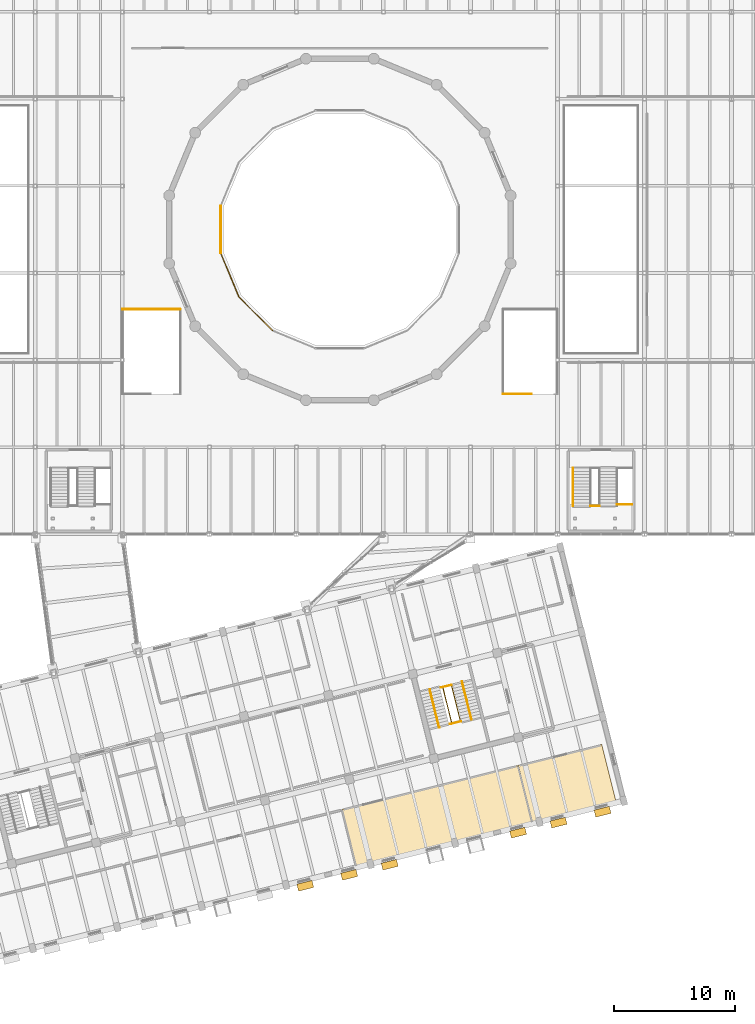
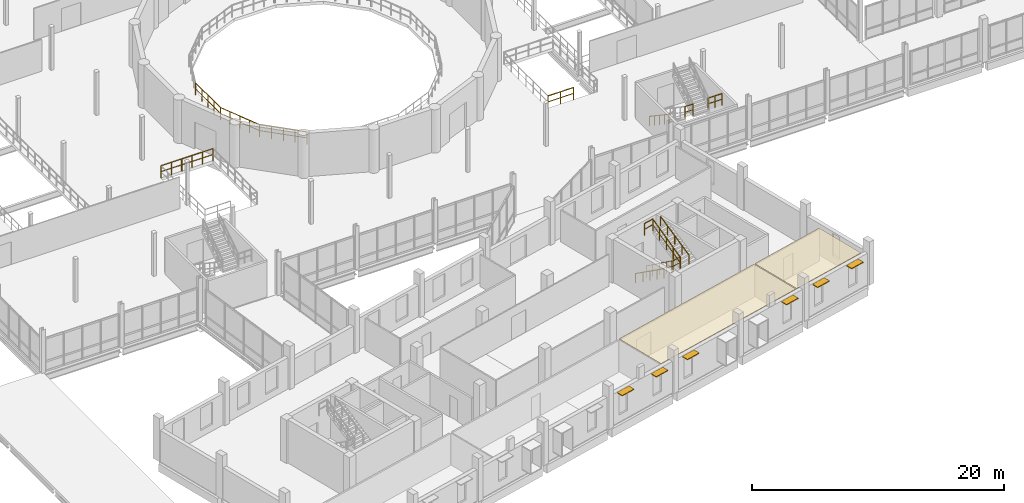
# One storey, part 68 of 72: 14 railings, 6 shading devices, 2 coverings.
"""IFC4 building model written with IfcOpenShell, lengths in metres."""

import ifcopenshell
import ifcopenshell.guid

model = None  # the IFC model being written
_history = None  # IfcOwnerHistory: only IFC2X3 demands one
_inside = {}  # id of a spatial element -> (the spatial element, [elements in it])
_under = {}  # id of a project, library or spatial element -> (it, [spatial elements below it])
_declared = {}  # id of a project -> (the project, [libraries it declares])
_typed = {}  # id of a type object -> (the type object, [elements of that type])
_made_of = {}  # id of a material, layer set ... -> (it, [elements and type objects made of it])


def new_model(schema):
    """Start an empty IFC model of exactly this schema.

    Asked for "IFC4X3", IfcOpenShell would pick the latest addendum, in which some entities
    have other attributes; the version numbers below select the first issue.
    IFC2X3 requires an IfcOwnerHistory on every rooted entity: one is made here for all.
    """
    global model, _history
    if schema == "IFC4X3":
        model = ifcopenshell.file(schema_version=(4, 3, 0, 0))
    else:
        model = ifcopenshell.file(schema=schema)
    _inside.clear()
    _under.clear()
    _declared.clear()
    _typed.clear()
    _made_of.clear()
    _history = None
    if model.schema == "IFC2X3":
        org = make("IfcOrganization", Name="unknown")
        user = make(
            "IfcPersonAndOrganization",
            ThePerson=make("IfcPerson", FamilyName="unknown"),
            TheOrganization=org,
        )
        app = make(
            "IfcApplication",
            ApplicationDeveloper=org,
            Version="unknown",
            ApplicationFullName="unknown",
            ApplicationIdentifier="unknown",
        )
        _history = make(
            "IfcOwnerHistory",
            OwningUser=user,
            OwningApplication=app,
            ChangeAction="ADDED",
            CreationDate=0,
        )
    return model


def make(cls, **values):
    """One entity of the class cls with the attributes given. An attribute that is None is left unset."""
    return model.create_entity(
        cls, **{name: value for name, value in values.items() if value is not None}
    )


def rooted(cls, **values):
    """An entity with a GlobalId (a new one), such as an element, a storey or a relation."""
    return make(cls, GlobalId=ifcopenshell.guid.new(), OwnerHistory=_history, **values)


def si_unit(unit_type, name, prefix=None):
    """IfcSIUnit, for example si_unit("LENGTHUNIT", "METRE", prefix="MILLI")."""
    return make("IfcSIUnit", UnitType=unit_type, Prefix=prefix, Name=name)


def assignment(units):
    """IfcUnitAssignment: the units of a project."""
    return None if units is None else make("IfcUnitAssignment", Units=units)


def point(xyz):
    """IfcCartesianPoint."""
    return None if xyz is None else make("IfcCartesianPoint", Coordinates=xyz)


def direction(xyz):
    """IfcDirection."""
    return None if xyz is None else make("IfcDirection", DirectionRatios=xyz)


def frame(location, z_axis=None, x_axis=None):
    """IfcAxis2Placement3D, a coordinate frame: its origin and axes. An axis left out is left unset."""
    return make(
        "IfcAxis2Placement3D",
        Location=point(location),
        Axis=direction(z_axis),
        RefDirection=direction(x_axis),
    )


def frame_2d(location, x_axis=None):
    """IfcAxis2Placement2D, a coordinate frame in the plane: its origin and x axis."""
    return make(
        "IfcAxis2Placement2D", Location=point(location), RefDirection=direction(x_axis)
    )


def origin():
    """The frame at (0, 0, 0) with its axes left unset."""
    return frame((0.0, 0.0, 0.0))


def origin_2d():
    """The frame at (0, 0) in the plane with its x axis left unset."""
    return frame_2d((0.0, 0.0))


def place(relative_to, where):
    """IfcLocalPlacement: puts the frame where relative to a parent placement (None: the world)."""
    return make(
        "IfcLocalPlacement", PlacementRelTo=relative_to, RelativePlacement=where
    )


def context(
    kind, dimensions, precision=None, world=None, true_north=None, identifier=None
):
    """IfcGeometricRepresentationContext, for example the 3D "Model" context."""
    return make(
        "IfcGeometricRepresentationContext",
        ContextIdentifier=identifier,
        ContextType=kind,
        CoordinateSpaceDimension=dimensions,
        Precision=precision,
        WorldCoordinateSystem=world,
        TrueNorth=true_north,
    )


def subcontext(parent, identifier, kind, view, scale=None):
    """IfcGeometricRepresentationSubContext, for example "Body" below "Model"."""
    return make(
        "IfcGeometricRepresentationSubContext",
        ContextIdentifier=identifier,
        ContextType=kind,
        ParentContext=parent,
        TargetScale=scale,
        TargetView=view,
    )


def project(units=None, contexts=None):
    """IfcProject with its units and contexts."""
    return rooted(
        "IfcProject",
        Name="project",
        RepresentationContexts=contexts,
        UnitsInContext=assignment(units),
    )


def spatial(cls, under=None, at=None, **own):
    """A site, building, storey or space (cls), placed at a placement, below another one or the project."""
    s = rooted(cls, ObjectPlacement=at, **own)
    if under is not None:
        _under.setdefault(under.id(), (under, []))[1].append(s)
    return s


def polyline(points):
    """IfcPolyline through the points."""
    return make("IfcPolyline", Points=[point(p) for p in points])


def profile(cls, at=None, kind="AREA", **sizes):
    """A parametric profile (cls). Its sizes go by their IFC names, for example OverallWidth=200.0."""
    return make(cls, ProfileType=kind, Position=at, **sizes)


def rectangle(**sizes):
    """IfcRectangleProfileDef."""
    return profile("IfcRectangleProfileDef", **sizes)


def circle(**sizes):
    """IfcCircleProfileDef."""
    return profile("IfcCircleProfileDef", **sizes)


def outline(outer, holes=None, kind="AREA"):
    """IfcArbitraryClosedProfileDef: a profile drawn as a closed curve; with holes, ...WithVoids."""
    if holes is None:
        return make("IfcArbitraryClosedProfileDef", ProfileType=kind, OuterCurve=outer)
    return make(
        "IfcArbitraryProfileDefWithVoids",
        ProfileType=kind,
        OuterCurve=outer,
        InnerCurves=holes,
    )


def extrude(swept, where, along, depth):
    """IfcExtrudedAreaSolid: the profile swept, set in the frame where, extruded along a direction by depth."""
    return make(
        "IfcExtrudedAreaSolid",
        SweptArea=swept,
        Position=where,
        ExtrudedDirection=direction(along),
        Depth=depth,
    )


def shape(context_of_items, identifier, shape_type, items):
    """IfcShapeRepresentation: the items that make up one representation, for example the "Body"."""
    return make(
        "IfcShapeRepresentation",
        ContextOfItems=context_of_items,
        RepresentationIdentifier=identifier,
        RepresentationType=shape_type,
        Items=items,
    )


def material(Name=None, Category=None):
    """IfcMaterial."""
    return make("IfcMaterial", Name=Name, Category=Category)


def layer(
    of_material, thickness, ventilated=None, Name=None, Category=None, Priority=None
):
    """IfcMaterialLayer: one layer of a wall or slab, of a material (None: an air gap)."""
    return make(
        "IfcMaterialLayer",
        Material=of_material,
        LayerThickness=thickness,
        IsVentilated=ventilated,
        Name=Name,
        Category=Category,
        Priority=Priority,
    )


def layer_set(layers, Name=None):
    """IfcMaterialLayerSet."""
    return make("IfcMaterialLayerSet", MaterialLayers=layers, LayerSetName=Name)


def material_profile(
    of_material, cross_section, Name=None, Category=None, Priority=None
):
    """IfcMaterialProfile: a cross section and its material."""
    return make(
        "IfcMaterialProfile",
        Name=Name,
        Material=of_material,
        Profile=cross_section,
        Priority=Priority,
        Category=Category,
    )


def profile_set(profiles, Name=None, composite=None):
    """IfcMaterialProfileSet."""
    return make(
        "IfcMaterialProfileSet",
        Name=Name,
        MaterialProfiles=profiles,
        CompositeProfile=composite,
    )


def made_of(thing, what):
    """Note that an element or type object is made of a material, layer set ...; save() writes the relation."""
    if what is not None:
        _made_of.setdefault(what.id(), (what, []))[1].append(thing)
    return thing


def type_object(cls, material=None, **own):
    """A type object (cls), such as IfcWallType, which elements share."""
    return made_of(rooted(cls, **own), material)


def element(
    cls,
    number,
    at=None,
    inside=None,
    cuts=None,
    type_object=None,
    material=None,
    context=None,
    identifier="Body",
    shape_type=None,
    held_by="IfcProductDefinitionShape",
    body=None,
    shapes=None,
    **own,
):
    """One element of the class cls, such as IfcWall. Its Tag is "e" and its number.

    at: its placement. inside: the storey or other place that contains it. cuts: it is an
    opening in that element (IfcRelVoidsElement). A single representation is given by context,
    identifier, shape_type and body (its items); several are given by shapes. held_by: the class
    of the entity that holds the representations. save() writes the other relations.
    """
    e = rooted(cls, Tag="e%d" % number, ObjectPlacement=at, **own)
    if body is not None:
        shapes = [shape(context, identifier, shape_type, body)]
    if shapes is not None:
        e.Representation = make(held_by, Representations=shapes)
    if inside is not None:
        _inside.setdefault(inside.id(), (inside, []))[1].append(e)
    if cuts is not None:
        rooted(
            "IfcRelVoidsElement", RelatingBuildingElement=cuts, RelatedOpeningElement=e
        )
    if type_object is not None:
        _typed.setdefault(type_object.id(), (type_object, []))[1].append(e)
    return made_of(e, material)


def aggregate(whole, parts):
    """IfcRelAggregates: a whole, such as a stair, and the parts it consists of."""
    return rooted("IfcRelAggregates", RelatingObject=whole, RelatedObjects=parts)


def save(model, path):
    """Write the relations noted so far, then the file.

    IfcRelAggregates (storeys below a building ...), IfcRelContainedInSpatialStructure (elements
    in a storey), IfcRelDefinesByType, IfcRelAssociatesMaterial and IfcRelDeclares: one each for
    every whole, place, type object, material and project.
    """
    for whole, parts in _under.values():
        aggregate(whole, parts)
    for where, things in _inside.values():
        rooted(
            "IfcRelContainedInSpatialStructure",
            RelatedElements=things,
            RelatingStructure=where,
        )
    for kind, things in _typed.values():
        rooted("IfcRelDefinesByType", RelatedObjects=things, RelatingType=kind)
    for what, things in _made_of.values():
        rooted("IfcRelAssociatesMaterial", RelatedObjects=things, RelatingMaterial=what)
    for by, libraries in _declared.values():
        rooted("IfcRelDeclares", RelatingContext=by, RelatedDefinitions=libraries)
    model.write(path)


model = new_model("IFC4")

# Units and contexts
model_context = context("Model", 3, precision=1e-05, world=origin(), true_north=direction((0.0, 1.0)))
body_context = subcontext(model_context, "Body", "Model", "MODEL_VIEW")
ifc_project = project(units=[si_unit("LENGTHUNIT", "METRE"), si_unit("AREAUNIT", "SQUARE_METRE"), si_unit("VOLUMEUNIT", "CUBIC_METRE"), si_unit("PLANEANGLEUNIT", "RADIAN"), si_unit("MASSUNIT", "GRAM", prefix="KILO")], contexts=[model_context])

# Site, building, storey
site_placement = place(None, origin())
site = spatial("IfcSite", under=ifc_project, at=site_placement, CompositionType="ELEMENT")
building_placement = place(site_placement, origin())
building = spatial("IfcBuilding", under=site, at=building_placement, Name="Qiaolan Assembly House", CompositionType="ELEMENT")
storey_placement = place(building_placement, frame((0.0, 0.0, 10.199951171875)))
storey = spatial("IfcBuildingStorey", under=building, at=storey_placement, Name="L02", CompositionType="ELEMENT", Elevation=10.199951171875)

# Coverings
ifc_material_1 = material(Name="Gypsum plasterboard acoustic ceiling")
ifc_layer = layer(ifc_material_1, 0.044921875)
ifc_layer_set = layer_set([ifc_layer], Name="Gypsum plasterboard acoustic ceiling")
covering_type = type_object("IfcCoveringType", Name="COV-CEIL-ACOUSTIC", PredefinedType="CEILING", material=ifc_layer_set)
covering_1_placement = place(storey_placement, frame((0.0, 0.0, 3.03515625)))
element("IfcCovering", 1, at=covering_1_placement, inside=storey, type_object=covering_type, Name="Suspended ceiling Standing Committee Suite B — Education & Health", PredefinedType="CEILING", context=body_context, shape_type="SweptSolid", body=[
    extrude(outline(polyline([(69.761474609375, 8.603271484375), (84.23828125, 12.212646484375), (83.08203125, 16.8505859375), (68.605224609375, 13.2412109375), (69.761474609375, 8.603271484375)])), origin(), (0.0, 0.0, 1.0), 0.044921875),
])
covering_2_placement = place(storey_placement, frame((0.0, 0.0, 3.03515625)))
element("IfcCovering", 2, at=covering_2_placement, inside=storey, type_object=covering_type, Name="Suspended ceiling Members Reference & Transcription Room", PredefinedType="CEILING", context=body_context, shape_type="SweptSolid", body=[
    extrude(outline(polyline([(84.31591796875, 12.23193359375), (91.224609375, 13.95458984375), (90.068115234375, 18.592529296875), (83.15966796875, 16.8701171875), (84.31591796875, 12.23193359375)])), origin(), (0.0, 0.0, 1.0), 0.044921875),
])

# Railings
ifc_material_2 = material(Name="Anodised bronze aluminium", Category="aluminium")
railing_type_1 = type_object("IfcRailingType", Name="RAL-GUARD-GALLERY-1200", PredefinedType="BALUSTRADE", material=ifc_material_2)
railing_1_placement = place(storey_placement, frame((50.39990234375, 54.60009765625, 0.0)))
element("IfcRailing", 3, at=railing_1_placement, inside=storey, type_object=railing_type_1, Name="GR-02 gallery well guard ST-G1 seg 3", PredefinedType="BALUSTRADE", context=body_context, shape_type="SweptSolid", body=[
    extrude(circle(Radius=0.02392578125, at=origin_2d()), frame((0.0, 0.0, 1.17578125), z_axis=(1.0, 0.0, 0.0), x_axis=(0.0, 1.0, 0.0)), (0.0, 0.0, 1.0), 4.800048828125),
    extrude(circle(Radius=0.01611328125, at=origin_2d()), frame((0.0, 0.0, 0.60009765625), z_axis=(1.0, 0.0, 0.0), x_axis=(0.0, 1.0, 0.0)), (0.0, 0.0, 1.0), 4.800048828125),
    extrude(circle(Radius=0.02099609375, at=origin_2d()), origin(), (0.0, 0.0, 1.0), 1.15185546875),
    extrude(circle(Radius=0.02099609375, at=origin_2d()), frame((0.9599609375, 0.0, 0.0)), (0.0, 0.0, 1.0), 1.15185546875),
    extrude(circle(Radius=0.02099609375, at=origin_2d()), frame((1.919921875, 0.0, 0.0)), (0.0, 0.0, 1.0), 1.15185546875),
    extrude(circle(Radius=0.02099609375, at=origin_2d()), frame((2.880126953125, 0.0, 0.0)), (0.0, 0.0, 1.0), 1.15185546875),
    extrude(circle(Radius=0.02099609375, at=origin_2d()), frame((3.840087890625, 0.0, 0.0)), (0.0, 0.0, 1.0), 1.15185546875),
    extrude(circle(Radius=0.02099609375, at=origin_2d()), frame((4.800048828125, 0.0, 0.0)), (0.0, 0.0, 1.0), 1.15185546875),
])
railing_2_placement = place(storey_placement, frame((84.239990234375, 47.60009765625, 0.0)))
element("IfcRailing", 4, at=railing_2_placement, inside=storey, type_object=railing_type_1, Name="GR-02 gallery well guard ST-G2 seg 1", PredefinedType="BALUSTRADE", context=body_context, shape_type="SweptSolid", body=[
    extrude(circle(Radius=0.02392578125, at=origin_2d()), frame((0.0, 0.0, 1.17578125), z_axis=(-1.0, 0.0, 0.0), x_axis=(0.0, -1.0, 0.0)), (0.0, 0.0, 1.0), 2.340087890625),
    extrude(circle(Radius=0.01611328125, at=origin_2d()), frame((0.0, 0.0, 0.60009765625), z_axis=(-1.0, 0.0, 0.0), x_axis=(0.0, -1.0, 0.0)), (0.0, 0.0, 1.0), 2.340087890625),
    extrude(circle(Radius=0.02099609375, at=origin_2d()), origin(), (0.0, 0.0, 1.0), 1.15185546875),
    extrude(circle(Radius=0.02099609375, at=origin_2d()), frame((-1.169921875, 0.0, 0.0)), (0.0, 0.0, 1.0), 1.15185546875),
    extrude(circle(Radius=0.02099609375, at=origin_2d()), frame((-2.340087890625, 0.0, 0.0)), (0.0, 0.0, 1.0), 1.15185546875),
])
railing_3_placement = place(storey_placement, frame((58.543212890625, 63.16064453125, 0.0)))
element("IfcRailing", 5, at=railing_3_placement, inside=storey, type_object=railing_type_1, Name="GR-02 Council Chamber Public Gallery Balustrade seg 8", PredefinedType="BALUSTRADE", context=body_context, shape_type="SweptSolid", body=[
    extrude(circle(Radius=0.02392578125, at=origin_2d()), frame((0.0, 0.0, 1.17578125), z_axis=(0.0, -1.0, 0.0), x_axis=(1.0, 0.0, 0.0)), (0.0, 0.0, 1.0), 3.92138671875),
    extrude(circle(Radius=0.01611328125, at=origin_2d()), frame((0.0, 0.0, 0.60009765625), z_axis=(0.0, -1.0, 0.0), x_axis=(1.0, 0.0, 0.0)), (0.0, 0.0, 1.0), 3.92138671875),
    extrude(circle(Radius=0.02099609375, at=origin_2d()), origin(), (0.0, 0.0, 1.0), 1.15185546875),
    extrude(circle(Radius=0.02099609375, at=origin_2d()), frame((0.0, -0.98046875, 0.0)), (0.0, 0.0, 1.0), 1.15185546875),
    extrude(circle(Radius=0.02099609375, at=origin_2d()), frame((0.0, -1.960693359375, 0.0)), (0.0, 0.0, 1.0), 1.15185546875),
    extrude(circle(Radius=0.02099609375, at=origin_2d()), frame((0.0, -2.94091796875, 0.0)), (0.0, 0.0, 1.0), 1.15185546875),
    extrude(circle(Radius=0.02099609375, at=origin_2d()), frame((0.0, -3.92138671875, 0.0)), (0.0, 0.0, 1.0), 1.15185546875),
])
railing_4_placement = place(storey_placement, frame((58.543212890625, 59.2392578125, 0.0)))
element("IfcRailing", 6, at=railing_4_placement, inside=storey, type_object=railing_type_1, Name="GR-02 Council Chamber Public Gallery Balustrade seg 9", PredefinedType="BALUSTRADE", context=body_context, shape_type="SweptSolid", body=[
    extrude(circle(Radius=0.02392578125, at=origin_2d()), frame((0.0, 0.0, 1.17578125), z_axis=(0.382656060744, -0.923890869733, 0.0), x_axis=(0.923890869733, 0.382656060744, 0.0)), (0.0, 0.0, 1.0), 3.921142578125),
    extrude(circle(Radius=0.01611328125, at=origin_2d()), frame((0.0, 0.0, 0.60009765625), z_axis=(0.382656060744, -0.923890869733, 0.0), x_axis=(0.923890869733, 0.382656060744, 0.0)), (0.0, 0.0, 1.0), 3.921142578125),
    extrude(circle(Radius=0.02099609375, at=origin_2d()), origin(), (0.0, 0.0, 1.0), 1.15185546875),
    extrude(circle(Radius=0.02099609375, at=origin_2d()), frame((0.375, -0.90576171875, 0.0)), (0.0, 0.0, 1.0), 1.15185546875),
    extrude(circle(Radius=0.02099609375, at=origin_2d()), frame((0.750244140625, -1.8115234375, 0.0)), (0.0, 0.0, 1.0), 1.15185546875),
    extrude(circle(Radius=0.02099609375, at=origin_2d()), frame((1.12548828125, -2.717041015625, 0.0)), (0.0, 0.0, 1.0), 1.15185546875),
    extrude(circle(Radius=0.02099609375, at=origin_2d()), frame((1.50048828125, -3.622802734375, 0.0)), (0.0, 0.0, 1.0), 1.15185546875),
])
railing_5_placement = place(storey_placement, frame((60.043701171875, 55.616455078125, 0.0)))
element("IfcRailing", 7, at=railing_5_placement, inside=storey, type_object=railing_type_1, Name="GR-02 Council Chamber Public Gallery Balustrade seg 10", PredefinedType="BALUSTRADE", context=body_context, shape_type="SweptSolid", body=[
    extrude(circle(Radius=0.02392578125, at=origin_2d()), frame((0.0, 0.0, 1.17578125), z_axis=(0.707106781187, -0.707106781187, 0.0), x_axis=(0.707106781187, 0.707106781187, 0.0)), (0.0, 0.0, 1.0), 3.921142578125),
    extrude(circle(Radius=0.01611328125, at=origin_2d()), frame((0.0, 0.0, 0.60009765625), z_axis=(0.707106781187, -0.707106781187, 0.0), x_axis=(0.707106781187, 0.707106781187, 0.0)), (0.0, 0.0, 1.0), 3.921142578125),
    extrude(circle(Radius=0.02099609375, at=origin_2d()), origin(), (0.0, 0.0, 1.0), 1.15185546875),
    extrude(circle(Radius=0.02099609375, at=origin_2d()), frame((0.693115234375, -0.693115234375, 0.0)), (0.0, 0.0, 1.0), 1.15185546875),
    extrude(circle(Radius=0.02099609375, at=origin_2d()), frame((1.38623046875, -1.38623046875, 0.0)), (0.0, 0.0, 1.0), 1.15185546875),
    extrude(circle(Radius=0.02099609375, at=origin_2d()), frame((2.07958984375, -2.07958984375, 0.0)), (0.0, 0.0, 1.0), 1.15185546875),
    extrude(circle(Radius=0.02099609375, at=origin_2d()), frame((2.772705078125, -2.772705078125, 0.0)), (0.0, 0.0, 1.0), 1.15185546875),
])
railing_type_2 = type_object("IfcRailingType", Name="RAL-GUARD-STAIRWELL-1150", PredefinedType="GUARDRAIL", material=ifc_material_2)
railing_6_placement = place(storey_placement, frame((76.90869140625, 23.340087890625, 0.0)))
element("IfcRailing", 8, at=railing_6_placement, inside=storey, type_object=railing_type_2, Name="GR-01 stair inner-well guard FLT-CORE-D-L02-1", PredefinedType="GUARDRAIL", context=body_context, shape_type="SweptSolid", body=[
    extrude(circle(Radius=0.02392578125, at=origin_2d()), frame((0.0, 0.0, 1.1259765625), z_axis=(0.200713697386, -0.804932033501, 0.558389141304), x_axis=(0.970289613784, 0.241946410147, 0.0)), (0.0, 0.0, 1.0), 3.760986328125),
    extrude(circle(Radius=0.01611328125, at=origin_2d()), frame((0.0, 0.0, 0.574951171875), z_axis=(0.200713697386, -0.804932033501, 0.558389141304), x_axis=(0.970289613784, 0.241946410147, 0.0)), (0.0, 0.0, 1.0), 3.760986328125),
    extrude(circle(Radius=0.02099609375, at=origin_2d()), origin(), (0.0, 0.0, 1.0), 1.101806640625),
    extrude(circle(Radius=0.02099609375, at=origin_2d()), frame((0.188720703125, -0.7568359375, 0.52490234375)), (0.0, 0.0, 1.0), 1.101806640625),
    extrude(circle(Radius=0.02099609375, at=origin_2d()), frame((0.37744140625, -1.513671875, 1.050048828125)), (0.0, 0.0, 1.0), 1.101806640625),
    extrude(circle(Radius=0.02099609375, at=origin_2d()), frame((0.566162109375, -2.2705078125, 1.5751953125)), (0.0, 0.0, 1.0), 1.101806640625),
    extrude(circle(Radius=0.02099609375, at=origin_2d()), frame((0.7548828125, -3.02734375, 2.10009765625)), (0.0, 0.0, 1.0), 1.101806640625),
])
railing_7_placement = place(storey_placement, frame((78.381591796875, 20.49169921875, 2.10009765625)))
element("IfcRailing", 9, at=railing_7_placement, inside=storey, type_object=railing_type_2, Name="GR-01 stair inner-well guard FLT-CORE-D-L02-2", PredefinedType="GUARDRAIL", context=body_context, shape_type="SweptSolid", body=[
    extrude(circle(Radius=0.02392578125, at=origin_2d()), frame((0.0, 0.0, 1.1259765625), z_axis=(-0.200720972668, 0.804961209925, 0.558344465046), x_axis=(-0.970289613784, -0.241946410147, 0.0)), (0.0, 0.0, 1.0), 3.7607421875),
    extrude(circle(Radius=0.01611328125, at=origin_2d()), frame((0.0, 0.0, 0.574951171875), z_axis=(-0.200720972668, 0.804961209925, 0.558344465046), x_axis=(-0.970289613784, -0.241946410147, 0.0)), (0.0, 0.0, 1.0), 3.7607421875),
    extrude(circle(Radius=0.02099609375, at=origin_2d()), origin(), (0.0, 0.0, 1.0), 1.101806640625),
    extrude(circle(Radius=0.02099609375, at=origin_2d()), frame((-0.188720703125, 0.7568359375, 0.52490234375)), (0.0, 0.0, 1.0), 1.101806640625),
    extrude(circle(Radius=0.02099609375, at=origin_2d()), frame((-0.37744140625, 1.513671875, 1.0498046875)), (0.0, 0.0, 1.0), 1.101806640625),
    extrude(circle(Radius=0.02099609375, at=origin_2d()), frame((-0.566162109375, 2.2705078125, 1.574951171875)), (0.0, 0.0, 1.0), 1.101806640625),
    extrude(circle(Radius=0.02099609375, at=origin_2d()), frame((-0.7548828125, 3.02734375, 2.099853515625)), (0.0, 0.0, 1.0), 1.101806640625),
])
railing_8_placement = place(storey_placement, frame((77.50830078125, 20.27392578125, 2.10009765625)))
element("IfcRailing", 10, at=railing_8_placement, inside=storey, type_object=railing_type_2, Name="GR-01 stairwell landing guard CORE-D L02-1", PredefinedType="GUARDRAIL", context=body_context, shape_type="SweptSolid", body=[
    extrude(circle(Radius=0.02392578125, at=origin_2d()), frame((0.0, 0.0, 1.1259765625), z_axis=(0.97026726112, 0.242036034503, 0.0), x_axis=(-0.242036034503, 0.97026726112, 0.0)), (0.0, 0.0, 1.0), 0.919921875),
    extrude(circle(Radius=0.01611328125, at=origin_2d()), frame((0.0, 0.0, 0.574951171875), z_axis=(0.97026726112, 0.242036034503, 0.0), x_axis=(-0.242036034503, 0.97026726112, 0.0)), (0.0, 0.0, 1.0), 0.919921875),
    extrude(circle(Radius=0.02099609375, at=origin_2d()), origin(), (0.0, 0.0, 1.0), 1.101806640625),
    extrude(circle(Radius=0.02099609375, at=origin_2d()), frame((0.892578125, 0.22265625, 0.0)), (0.0, 0.0, 1.0), 1.101806640625),
])
railing_9_placement = place(storey_placement, frame((76.75341796875, 23.30126953125, 4.199951171875)))
element("IfcRailing", 11, at=railing_9_placement, inside=storey, type_object=railing_type_2, Name="GR-01 stairwell landing guard CORE-D L02-2", PredefinedType="GUARDRAIL", context=body_context, shape_type="SweptSolid", body=[
    extrude(circle(Radius=0.02392578125, at=origin_2d()), frame((0.0, 0.0, 1.1259765625), z_axis=(0.970282802069, 0.241973725865, 0.0), x_axis=(-0.241973725865, 0.970282802069, 0.0)), (0.0, 0.0, 1.0), 0.920166015625),
    extrude(circle(Radius=0.01611328125, at=origin_2d()), frame((0.0, 0.0, 0.574951171875), z_axis=(0.970282802069, 0.241973725865, 0.0), x_axis=(-0.241973725865, 0.970282802069, 0.0)), (0.0, 0.0, 1.0), 0.920166015625),
    extrude(circle(Radius=0.02099609375, at=origin_2d()), origin(), (0.0, 0.0, 1.0), 1.101806640625),
    extrude(circle(Radius=0.02099609375, at=origin_2d()), frame((0.892822265625, 0.22265625, 0.0)), (0.0, 0.0, 1.0), 1.101806640625),
])
railing_10_placement = place(storey_placement, frame((89.1201171875, 38.330078125, 2.10009765625)))
element("IfcRailing", 12, at=railing_10_placement, inside=storey, type_object=railing_type_2, Name="GR-01 foyer L02 mid-landing guard ST-F22", PredefinedType="GUARDRAIL", context=body_context, shape_type="SweptSolid", body=[
    extrude(circle(Radius=0.02392578125, at=origin_2d()), frame((0.0, 0.0, 1.1259765625), z_axis=(1.0, 0.0, 0.0), x_axis=(0.0, 1.0, 0.0)), (0.0, 0.0, 1.0), 0.759765625),
    extrude(circle(Radius=0.01611328125, at=origin_2d()), frame((0.0, 0.0, 0.574951171875), z_axis=(1.0, 0.0, 0.0), x_axis=(0.0, 1.0, 0.0)), (0.0, 0.0, 1.0), 0.759765625),
    extrude(circle(Radius=0.02099609375, at=origin_2d()), origin(), (0.0, 0.0, 1.0), 1.101806640625),
    extrude(circle(Radius=0.02099609375, at=origin_2d()), frame((0.759765625, 0.0, 0.0)), (0.0, 0.0, 1.0), 1.101806640625),
])
railing_11_placement = place(storey_placement, frame((91.31005859375, 38.429931640625, 2.10009765625)))
element("IfcRailing", 13, at=railing_11_placement, inside=storey, type_object=railing_type_2, Name="GR-01 foyer L02 east half-landing guard ST-F22", PredefinedType="GUARDRAIL", context=body_context, shape_type="SweptSolid", body=[
    extrude(circle(Radius=0.02392578125, at=origin_2d()), frame((0.0, 0.0, 1.1259765625), z_axis=(1.0, 0.0, 0.0), x_axis=(0.0, 1.0, 0.0)), (0.0, 0.0, 1.0), 1.27001953125),
    extrude(circle(Radius=0.01611328125, at=origin_2d()), frame((0.0, 0.0, 0.574951171875), z_axis=(1.0, 0.0, 0.0), x_axis=(0.0, 1.0, 0.0)), (0.0, 0.0, 1.0), 1.27001953125),
    extrude(circle(Radius=0.02099609375, at=origin_2d()), origin(), (0.0, 0.0, 1.0), 1.101806640625),
    extrude(circle(Radius=0.02099609375, at=origin_2d()), frame((0.635009765625, 0.0, 0.0)), (0.0, 0.0, 1.0), 1.101806640625),
    extrude(circle(Radius=0.02099609375, at=origin_2d()), frame((1.27001953125, 0.0, 0.0)), (0.0, 0.0, 1.0), 1.101806640625),
])
railing_type_3 = type_object("IfcRailingType", Name="RAL-HANDRAIL-STAIR-920", PredefinedType="HANDRAIL", material=ifc_material_2)
railing_12_placement = place(storey_placement, frame((75.836669921875, 23.134521484375, 0.0)))
element("IfcRailing", 14, at=railing_12_placement, inside=storey, type_object=railing_type_3, Name="HR-01 stair handrail FLT-CORE-D-L02-1", PredefinedType="HANDRAIL", context=body_context, shape_type="SweptSolid", body=[
    extrude(circle(Radius=0.02392578125, at=origin_2d()), frame((0.0, 0.0, 0.89599609375), z_axis=(0.202971290851, -0.814224707877, 0.543912474735), x_axis=(0.970306279523, 0.241879564904, 0.0)), (0.0, 0.0, 1.0), 3.861083984375),
    extrude(circle(Radius=0.02099609375, at=origin_2d()), origin(), (0.0, 0.0, 1.0), 0.871826171875),
    extrude(circle(Radius=0.02099609375, at=origin_2d()), frame((0.19580078125, -0.785888671875, 0.52490234375)), (0.0, 0.0, 1.0), 0.871826171875),
    extrude(circle(Radius=0.02099609375, at=origin_2d()), frame((0.391845703125, -1.57177734375, 1.050048828125)), (0.0, 0.0, 1.0), 0.871826171875),
    extrude(circle(Radius=0.02099609375, at=origin_2d()), frame((0.587890625, -2.35791015625, 1.5751953125)), (0.0, 0.0, 1.0), 0.871826171875),
    extrude(circle(Radius=0.02099609375, at=origin_2d()), frame((0.78369140625, -3.143798828125, 2.10009765625)), (0.0, 0.0, 1.0), 0.871826171875),
])
railing_13_placement = place(storey_placement, frame((79.288818359375, 20.656005859375, 2.10009765625)))
element("IfcRailing", 15, at=railing_13_placement, inside=storey, type_object=railing_type_3, Name="HR-01 stair handrail FLT-CORE-D-L02-2", PredefinedType="HANDRAIL", context=body_context, shape_type="SweptSolid", body=[
    extrude(circle(Radius=0.02392578125, at=origin_2d()), frame((0.0, 0.0, 0.89599609375), z_axis=(-0.203038898136, 0.814242258269, 0.543860966325), x_axis=(-0.97028859237, -0.241950506337, 0.0)), (0.0, 0.0, 1.0), 3.861083984375),
    extrude(circle(Radius=0.02099609375, at=origin_2d()), origin(), (0.0, 0.0, 1.0), 0.871826171875),
    extrude(circle(Radius=0.02099609375, at=origin_2d()), frame((-0.196044921875, 0.785888671875, 0.52490234375)), (0.0, 0.0, 1.0), 0.871826171875),
    extrude(circle(Radius=0.02099609375, at=origin_2d()), frame((-0.39208984375, 1.57177734375, 1.0498046875)), (0.0, 0.0, 1.0), 0.871826171875),
    extrude(circle(Radius=0.02099609375, at=origin_2d()), frame((-0.587890625, 2.35791015625, 1.574951171875)), (0.0, 0.0, 1.0), 0.871826171875),
    extrude(circle(Radius=0.02099609375, at=origin_2d()), frame((-0.783935546875, 3.143798828125, 2.099853515625)), (0.0, 0.0, 1.0), 0.871826171875),
])
railing_14_placement = place(storey_placement, frame((87.679931640625, 41.449951171875, 0.0)))
element("IfcRailing", 16, at=railing_14_placement, inside=storey, type_object=railing_type_3, Name="HR-01 foyer L02 handrail FLT-ST-F22-1-L", PredefinedType="HANDRAIL", context=body_context, shape_type="SweptSolid", body=[
    extrude(circle(Radius=0.02392578125, at=origin_2d()), frame((0.0, 0.0, 0.89599609375), z_axis=(0.0, -0.829565193945, 0.558409875445), x_axis=(1.0, 0.0, 0.0)), (0.0, 0.0, 1.0), 3.7607421875),
    extrude(circle(Radius=0.02099609375, at=origin_2d()), origin(), (0.0, 0.0, 1.0), 0.871826171875),
    extrude(circle(Radius=0.02099609375, at=origin_2d()), frame((0.0, -0.780029296875, 0.52490234375)), (0.0, 0.0, 1.0), 0.871826171875),
    extrude(circle(Radius=0.02099609375, at=origin_2d()), frame((0.0, -1.56005859375, 1.050048828125)), (0.0, 0.0, 1.0), 0.871826171875),
    extrude(circle(Radius=0.02099609375, at=origin_2d()), frame((0.0, -2.33984375, 1.5751953125)), (0.0, 0.0, 1.0), 0.871826171875),
    extrude(circle(Radius=0.02099609375, at=origin_2d()), frame((0.0, -3.119873046875, 2.10009765625)), (0.0, 0.0, 1.0), 0.871826171875),
])

# Shading devices
ifc_material_profile = material_profile(ifc_material_2, rectangle(XDim=0.60009765625, YDim=0.070068359375, at=origin_2d()), Name="SHD 600x70")
ifc_profile_set = profile_set([ifc_material_profile], Name="Anodised bronze aluminium")
shading_device_type = type_object("IfcShadingDeviceType", Name="SHD-SUNSHADE-AL-600", PredefinedType="AWNING", material=ifc_profile_set)
for number, where, z_axis, x_axis, name in (
    (17, (64.90234375, 6.742431640625, 2.93994140625), (0.970307970296, 0.241872782222, 0.0), (-0.241872782222, 0.970307970296, 0.0), "SH-02 horizontal sunshade louvre L02-5"),
    (18, (68.541015625, 7.649658203125, 2.93994140625), (0.970307970296, 0.241872782222, 0.0), (-0.241872782222, 0.970307970296, 0.0), "SH-02 horizontal sunshade louvre L02-5"),
    (19, (71.888427734375, 8.484130859375, 2.93994140625), (0.970263883687, 0.242049573461, 0.0), (-0.242049573461, 0.970263883687, 0.0), "SH-02 horizontal sunshade louvre L02-6"),
    (20, (82.51318359375, 11.13330078125, 2.93994140625), (0.970307970296, 0.241872782222, 0.0), (-0.241872782222, 0.970307970296, 0.0), "SH-02 horizontal sunshade louvre L02-7"),
):
    element("IfcShadingDevice", number, at=place(storey_placement, frame(where, z_axis=z_axis, x_axis=x_axis)), inside=storey, type_object=shading_device_type, Name=name, PredefinedType="AWNING", context=body_context, shape_type="SweptSolid", body=[
        extrude(rectangle(XDim=0.60009765625, YDim=0.070068359375, at=origin_2d()), origin(), (0.0, 0.0, 1.0), 1.300048828125),
    ])
shading_device_1_placement = place(storey_placement, frame((85.86083984375, 11.968017578125, 2.93994140625), z_axis=(0.970296981152, 0.24191686251, 0.0), x_axis=(-0.24191686251, 0.970296981152, 0.0)))
element("IfcShadingDevice", 21, at=shading_device_1_placement, inside=storey, type_object=shading_device_type, Name="SH-02 horizontal sunshade louvre L02-8", PredefinedType="AWNING", context=body_context, shape_type="SweptSolid", body=[
    extrude(rectangle(XDim=0.60009765625, YDim=0.070068359375, at=origin_2d()), origin(), (0.0, 0.0, 1.0), 1.2998046875),
])
shading_device_2_placement = place(storey_placement, frame((89.499267578125, 12.875, 2.93994140625), z_axis=(0.970263883687, 0.242049573461, 0.0), x_axis=(-0.242049573461, 0.970263883687, 0.0)))
element("IfcShadingDevice", 22, at=shading_device_2_placement, inside=storey, type_object=shading_device_type, Name="SH-02 horizontal sunshade louvre L02-8", PredefinedType="AWNING", context=body_context, shape_type="SweptSolid", body=[
    extrude(rectangle(XDim=0.60009765625, YDim=0.070068359375, at=origin_2d()), origin(), (0.0, 0.0, 1.0), 1.300048828125),
])

save(model, "model.ifc")
